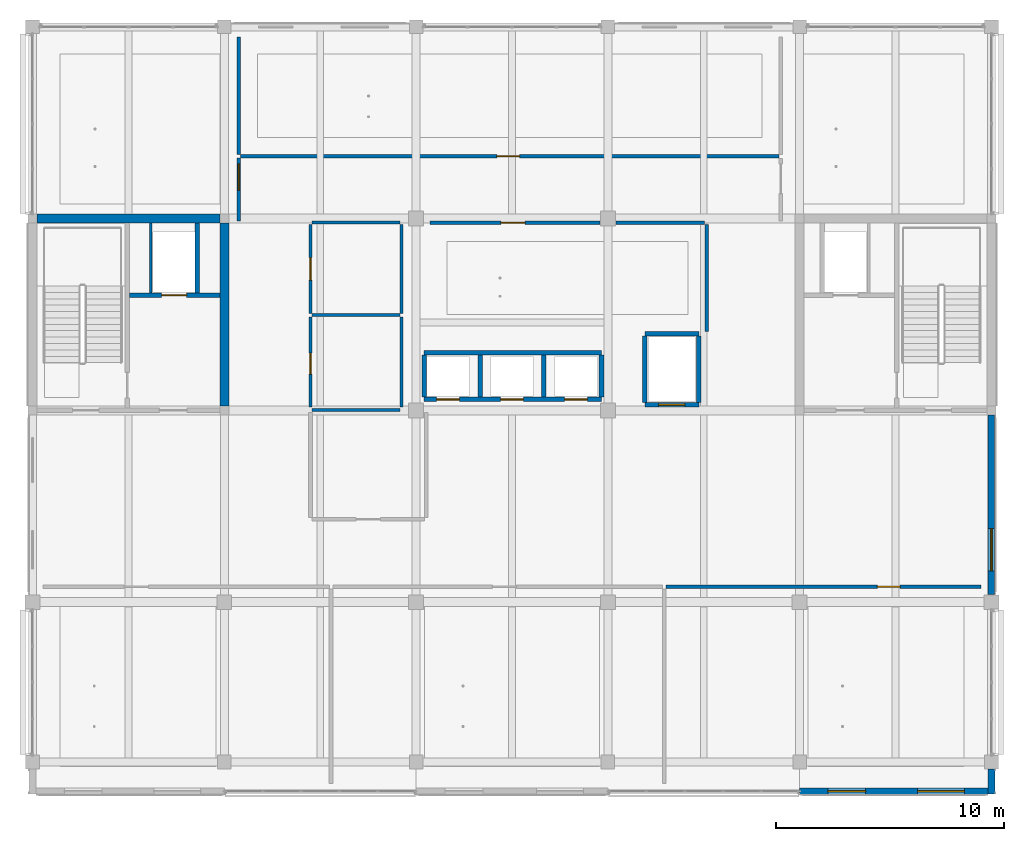
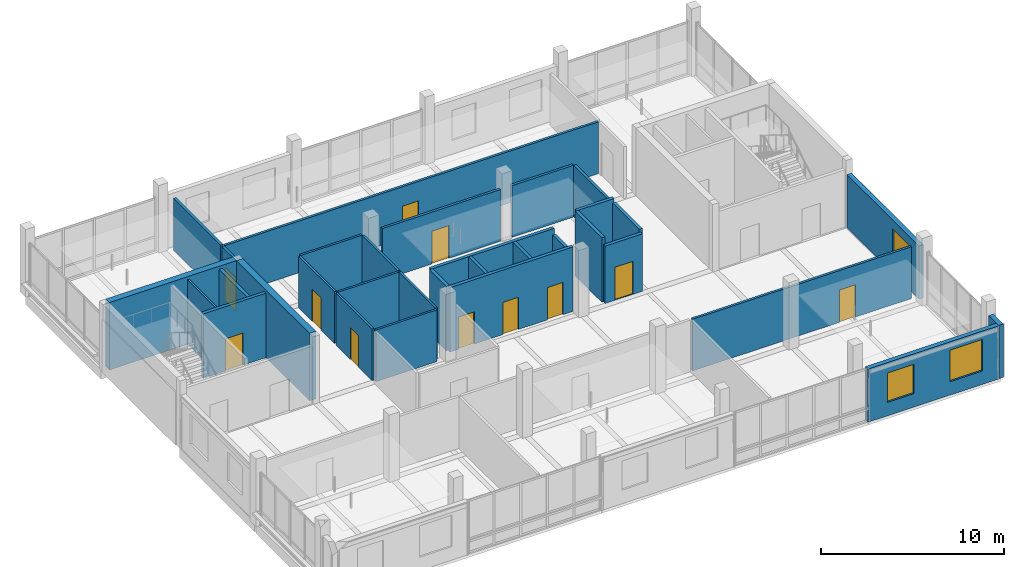
# One storey, part 12 of 29: 32 walls, 11 doors, 3 windows, 14 openings.
"""IFC4 building model written with IfcOpenShell, lengths in metres."""

from ifc_helpers import new_model, si_unit, direction, frame, frame_2d, origin, place, context, subcontext, project, spatial, rectangle, extrude, material, layer, layer_set, type_object, element, fill, save


model = new_model("IFC4")

# Units and contexts
model_context = context("Model", 3, precision=1e-05, world=origin(), true_north=direction((0.0, 1.0)))
body_context = subcontext(model_context, "Body", "Model", "MODEL_VIEW")
ifc_project = project(units=[si_unit("LENGTHUNIT", "METRE"), si_unit("AREAUNIT", "SQUARE_METRE"), si_unit("VOLUMEUNIT", "CUBIC_METRE"), si_unit("PLANEANGLEUNIT", "RADIAN"), si_unit("MASSUNIT", "GRAM", prefix="KILO")], contexts=[model_context])

# Site, building, storey
site_placement = place(None, origin())
site = spatial("IfcSite", under=ifc_project, at=site_placement, CompositionType="ELEMENT")
building_placement = place(site_placement, origin())
building = spatial("IfcBuilding", under=site, at=building_placement, Name="Telukmera Botanical Conservatory", CompositionType="ELEMENT")
storey_placement = place(building_placement, frame((0.0, 0.0, 55.5)))
storey = spatial("IfcBuildingStorey", under=building, at=storey_placement, Name="L12", CompositionType="ELEMENT", Elevation=55.5)

# Wall, openings, windows
ifc_material_1 = material(Name="Precast concrete C40/50", Category="concrete")
ifc_layer_1 = layer(ifc_material_1, 0.280029296875)
ifc_layer_set_1 = layer_set([ifc_layer_1], Name="Precast concrete C40/50")
wall_type_1 = type_object("IfcWallType", Name="Exterior Laboratory Modular Precast Wall 280", PredefinedType="ELEMENTEDWALL", material=ifc_layer_set_1)
wall_1_placement = place(storey_placement, frame((92.402099609375, 9.320068359375, 0.0), z_axis=(0.0, 0.0, 1.0), x_axis=(1.0, 0.0, 0.0)))
wall_1 = element("IfcWall", 1, at=wall_1_placement, inside=storey, type_object=wall_type_1, Name="Exterior Precast Wall EW06 V4:L12:S5", PredefinedType="ELEMENTEDWALL", context=body_context, shape_type="SweptSolid", body=[
    extrude(rectangle(XDim=8.245849609375, YDim=0.280029296875, at=frame_2d((4.123046875, 0.0))), origin(), (0.0, 0.0, 1.0), 3.550048828125),
])
opening_1_placement = place(wall_1_placement, frame((1.236572265625, 0.0, 0.89990234375)))
opening_1 = element("IfcOpeningElement", 2, at=opening_1_placement, cuts=wall_1, Name="Opening W10", PredefinedType="OPENING", context=body_context, shape_type="SweptSolid", body=[
    extrude(rectangle(XDim=1.64990234375, YDim=1.949951171875, at=frame_2d((0.824951171875, 0.97509765625))), frame((0.0, 0.14990234375, 0.0), z_axis=(0.0, -1.0, 0.0), x_axis=(1.0, 0.0, 0.0)), (0.0, 0.0, 1.0), 0.300048828125),
])
opening_2_placement = place(wall_1_placement, frame((5.159423828125, 0.0, 0.89990234375)))
opening_2 = element("IfcOpeningElement", 3, at=opening_2_placement, cuts=wall_1, Name="Opening W14", PredefinedType="OPENING", context=body_context, shape_type="SweptSolid", body=[
    extrude(rectangle(XDim=2.050048828125, YDim=2.10009765625, at=frame_2d((1.02490234375, 1.050048828125))), frame((0.0, 0.14990234375, 0.0), z_axis=(0.0, -1.0, 0.0), x_axis=(1.0, 0.0, 0.0)), (0.0, 0.0, 1.0), 0.300048828125),
])
ifc_material_2 = material(Name="Thermally broken anodised aluminium frame with low-E double glazing", Category="aluminium")
window_type_1 = type_object("IfcWindowType", Name="Double Horizontal Phytochemistry Lab Window 1650x1950", PartitioningType="DOUBLE_PANEL_HORIZONTAL", PredefinedType="WINDOW", material=ifc_material_2)
window_1_placement = place(opening_1_placement, origin())
window_1 = element("IfcWindow", 4, at=window_1_placement, inside=storey, type_object=window_type_1, Name="Facade Window W10 V4:L12:S5 1", OverallHeight=1.949951171875, OverallWidth=1.64990234375, PartitioningType="DOUBLE_PANEL_HORIZONTAL", PredefinedType="WINDOW", context=body_context, shape_type="SweptSolid", body=[
    extrude(rectangle(XDim=1.64990234375, YDim=1.949951171875, at=frame_2d((0.824951171875, 0.97509765625))), frame((0.0, 0.030029296875, 0.0), z_axis=(0.0, -1.0, 0.0), x_axis=(1.0, 0.0, 0.0)), (0.0, 0.0, 1.0), 0.06005859375),
])
fill(opening_1, window_1)
window_type_2 = type_object("IfcWindowType", Name="Triple Vertical Microscopy Lab Window 2050x2100", PartitioningType="TRIPLE_PANEL_VERTICAL", PredefinedType="WINDOW", material=ifc_material_2)
window_2_placement = place(opening_2_placement, origin())
window_2 = element("IfcWindow", 5, at=window_2_placement, inside=storey, type_object=window_type_2, Name="Facade Window W14 V4:L12:S5 2", OverallHeight=2.10009765625, OverallWidth=2.050048828125, PartitioningType="TRIPLE_PANEL_VERTICAL", PredefinedType="WINDOW", context=body_context, shape_type="SweptSolid", body=[
    extrude(rectangle(XDim=2.050048828125, YDim=2.10009765625, at=frame_2d((1.02490234375, 1.050048828125))), frame((0.0, 0.030029296875, 0.0), z_axis=(0.0, -1.0, 0.0), x_axis=(1.0, 0.0, 0.0)), (0.0, 0.0, 1.0), 0.06005859375),
])
fill(opening_2, window_2)

# Wall, opening, window
wall_2_placement = place(storey_placement, frame((100.800048828125, 17.927001953125, 0.0), z_axis=(0.0, 0.0, 1.0), x_axis=(0.0, 1.0, 0.0)))
wall_2 = element("IfcWall", 6, at=wall_2_placement, inside=storey, type_object=wall_type_1, Name="Exterior Precast Wall EW06 V4:L12:E2", PredefinedType="ELEMENTEDWALL", context=body_context, shape_type="SweptSolid", body=[
    extrude(rectangle(XDim=7.87109375, YDim=0.280029296875, at=frame_2d((3.935546875, 0.0))), origin(), (0.0, 0.0, 1.0), 3.550048828125),
])
opening_3_placement = place(wall_2_placement, frame((1.042724609375, 0.0, 0.89990234375)))
opening_3 = element("IfcOpeningElement", 7, at=opening_3_placement, cuts=wall_2, Name="Opening W12", PredefinedType="OPENING", context=body_context, shape_type="SweptSolid", body=[
    extrude(rectangle(XDim=1.85009765625, YDim=2.050048828125, at=frame_2d((0.925048828125, 1.02490234375))), frame((0.0, 0.14990234375, 0.0), z_axis=(0.0, -1.0, 0.0), x_axis=(1.0, 0.0, 0.0)), (0.0, 0.0, 1.0), 0.300048828125),
])
window_type_3 = type_object("IfcWindowType", Name="Double Horizontal Seminar Suite Window 1850x2050", PartitioningType="DOUBLE_PANEL_HORIZONTAL", PredefinedType="WINDOW", material=ifc_material_2)
window_3_placement = place(opening_3_placement, origin())
window_3 = element("IfcWindow", 8, at=window_3_placement, inside=storey, type_object=window_type_3, Name="Facade Window W12 V4:L12:E2 1", OverallHeight=2.050048828125, OverallWidth=1.85009765625, PartitioningType="DOUBLE_PANEL_HORIZONTAL", PredefinedType="WINDOW", context=body_context, shape_type="SweptSolid", body=[
    extrude(rectangle(XDim=1.85009765625, YDim=2.050048828125, at=frame_2d((0.925048828125, 1.02490234375))), frame((0.0, 0.030029296875, 0.0), z_axis=(0.0, -1.0, 0.0), x_axis=(1.0, 0.0, 0.0)), (0.0, 0.0, 1.0), 0.06005859375),
])
fill(opening_3, window_3)

# Wall
ifc_material_3 = material(Name="Terracotta-faced precast concrete C40/50", Category="masonry")
ifc_layer_2 = layer(ifc_material_3, 0.300048828125)
ifc_layer_set_2 = layer_set([ifc_layer_2], Name="Terracotta-faced precast concrete C40/50")
wall_type_2 = type_object("IfcWallType", Name="Exterior Polychrome Terracotta Precast Wall 300", PredefinedType="SOLIDWALL", material=ifc_layer_set_2)
wall_3_placement = place(storey_placement, frame((100.800048828125, 9.199951171875, 0.0), z_axis=(0.0, 0.0, 1.0), x_axis=(0.0, 1.0, 0.0)))
element("IfcWall", 9, at=wall_3_placement, inside=storey, type_object=wall_type_2, Name="Exterior Precast Wall EW02 V4:L12:SEC", PredefinedType="SOLIDWALL", context=body_context, shape_type="SweptSolid", body=[
    extrude(rectangle(XDim=1.09814453125, YDim=0.300048828125, at=frame_2d((0.549072265625, 0.0))), origin(), (0.0, 0.0, 1.0), 3.550048828125),
])

# Wall, opening, door
ifc_material_4 = material(Name="Concrete C40/50", Category="concrete")
ifc_layer_3 = layer(ifc_material_4, 0.199951171875)
ifc_layer_set_3 = layer_set([ifc_layer_3], Name="Concrete C40/50")
wall_type_3 = type_object("IfcWallType", Name="WT-CORE-200", PredefinedType="SOLIDWALL", material=ifc_layer_set_3)
wall_4_placement = place(storey_placement, frame((63.050048828125, 31.050048828125, 0.0), z_axis=(0.0, 0.0, 1.0), x_axis=(1.0, 0.0, 0.0)))
wall_4 = element("IfcWall", 10, at=wall_4_placement, inside=storey, type_object=wall_type_3, Name="L12 Fire Lift FL1 Shaft Front Wall", PredefinedType="SOLIDWALL", context=body_context, shape_type="SweptSolid", body=[
    extrude(rectangle(XDim=3.949951171875, YDim=0.199951171875, at=frame_2d((1.97509765625, 0.0))), origin(), (0.0, 0.0, 1.0), 4.300048828125),
])
opening_4_placement = place(wall_4_placement, frame((1.39990234375, 0.0, 0.0)))
opening_4 = element("IfcOpeningElement", 11, at=opening_4_placement, cuts=wall_4, Name="Opening LD01", PredefinedType="OPENING", context=body_context, shape_type="SweptSolid", body=[
    extrude(rectangle(XDim=1.10009765625, YDim=2.14990234375, at=frame_2d((0.550048828125, 1.074951171875))), frame((0.0, 0.10986328125, 0.0), z_axis=(0.0, -1.0, 0.0), x_axis=(1.0, 0.0, 0.0)), (0.0, 0.0, 1.0), 0.219970703125),
])
ifc_material_5 = material(Name="Stainless steel 316", Category="steel")
door_type_1 = type_object("IfcDoorType", Name="DT-LD01", OperationType="SLIDING_TO_LEFT", PredefinedType="DOOR", material=ifc_material_5)
door_1_placement = place(opening_4_placement, frame((1.10009765625, 0.0, 0.0), z_axis=(0.0, 0.0, 1.0), x_axis=(-1.0, 0.0, 0.0)))
door_1 = element("IfcDoor", 12, at=door_1_placement, inside=storey, type_object=door_type_1, Name="L12 Lift Landing Door FL1", OperationType="SLIDING_TO_LEFT", OverallHeight=2.14990234375, OverallWidth=1.10009765625, PredefinedType="DOOR", context=body_context, shape_type="SweptSolid", body=[
    extrude(rectangle(XDim=1.10009765625, YDim=2.14990234375, at=frame_2d((0.550048828125, 1.074951171875))), frame((0.0, 0.02490234375, 0.0), z_axis=(0.0, -1.0, 0.0), x_axis=(1.0, 0.0, 0.0)), (0.0, 0.0, 1.0), 0.050048828125),
])
fill(opening_4, door_1)

# Wall
wall_5_placement = place(storey_placement, frame((66.02001953125, 31.14990234375, 0.0), z_axis=(0.0, 0.0, 1.0), x_axis=(0.0, 1.0, 0.0)))
element("IfcWall", 13, at=wall_5_placement, inside=storey, type_object=wall_type_3, Name="L12 Fire Lift FL1 Shaft East Wall", PredefinedType="SOLIDWALL", context=body_context, shape_type="SweptSolid", body=[
    extrude(rectangle(XDim=3.050048828125, YDim=0.199951171875, at=frame_2d((1.52490234375, 0.0))), origin(), (0.0, 0.0, 1.0), 4.300048828125),
])

# Wall, openings, doors
wall_6_placement = place(storey_placement, frame((75.949951171875, 26.47998046875, 0.0), z_axis=(0.0, 0.0, 1.0), x_axis=(1.0, 0.0, 0.0)))
wall_6 = element("IfcWall", 14, at=wall_6_placement, inside=storey, type_object=wall_type_3, Name="L12 Passenger Lift Bank Front Wall", PredefinedType="SOLIDWALL", context=body_context, shape_type="SweptSolid", body=[
    extrude(rectangle(XDim=7.77001953125, YDim=0.199951171875, at=frame_2d((3.885009765625, 0.0))), origin(), (0.0, 0.0, 1.0), 4.300048828125),
])
opening_5_placement = place(wall_6_placement, frame((0.550048828125, 0.0, 0.0)))
opening_5 = element("IfcOpeningElement", 15, at=opening_5_placement, cuts=wall_6, Name="Opening LD03", PredefinedType="OPENING", context=body_context, shape_type="SweptSolid", body=[
    extrude(rectangle(XDim=1.0, YDim=2.14990234375, at=frame_2d((0.5, 1.074951171875))), frame((0.0, 0.10986328125, 0.0), z_axis=(0.0, -1.0, 0.0), x_axis=(1.0, 0.0, 0.0)), (0.0, 0.0, 1.0), 0.219970703125),
])
opening_6_placement = place(wall_6_placement, frame((3.35009765625, 0.0, 0.0)))
opening_6 = element("IfcOpeningElement", 16, at=opening_6_placement, cuts=wall_6, Name="Opening LD03", PredefinedType="OPENING", context=body_context, shape_type="SweptSolid", body=[
    extrude(rectangle(XDim=1.0, YDim=2.14990234375, at=frame_2d((0.5, 1.074951171875))), frame((0.0, 0.10986328125, 0.0), z_axis=(0.0, -1.0, 0.0), x_axis=(1.0, 0.0, 0.0)), (0.0, 0.0, 1.0), 0.219970703125),
])
opening_7_placement = place(wall_6_placement, frame((6.14990234375, 0.0, 0.0)))
opening_7 = element("IfcOpeningElement", 17, at=opening_7_placement, cuts=wall_6, Name="Opening LD03", PredefinedType="OPENING", context=body_context, shape_type="SweptSolid", body=[
    extrude(rectangle(XDim=1.0, YDim=2.14990234375, at=frame_2d((0.5, 1.074951171875))), frame((0.0, 0.10986328125, 0.0), z_axis=(0.0, -1.0, 0.0), x_axis=(1.0, 0.0, 0.0)), (0.0, 0.0, 1.0), 0.219970703125),
])
door_type_2 = type_object("IfcDoorType", Name="DT-LD03", OperationType="SLIDING_TO_LEFT", PredefinedType="DOOR", material=ifc_material_5)
door_2_placement = place(opening_5_placement, frame((1.0, 0.0, 0.0), z_axis=(0.0, 0.0, 1.0), x_axis=(-1.0, 0.0, 0.0)))
door_2 = element("IfcDoor", 18, at=door_2_placement, inside=storey, type_object=door_type_2, Name="L12 Lift Landing Door PL1", OperationType="SLIDING_TO_LEFT", OverallHeight=2.14990234375, OverallWidth=1.0, PredefinedType="DOOR", context=body_context, shape_type="SweptSolid", body=[
    extrude(rectangle(XDim=1.0, YDim=2.14990234375, at=frame_2d((0.5, 1.074951171875))), frame((0.0, 0.02490234375, 0.0), z_axis=(0.0, -1.0, 0.0), x_axis=(1.0, 0.0, 0.0)), (0.0, 0.0, 1.0), 0.050048828125),
])
fill(opening_5, door_2)
door_3_placement = place(opening_6_placement, frame((1.0, 0.0, 0.0), z_axis=(0.0, 0.0, 1.0), x_axis=(-1.0, 0.0, 0.0)))
door_3 = element("IfcDoor", 19, at=door_3_placement, inside=storey, type_object=door_type_2, Name="L12 Lift Landing Door PL2", OperationType="SLIDING_TO_LEFT", OverallHeight=2.14990234375, OverallWidth=1.0, PredefinedType="DOOR", context=body_context, shape_type="SweptSolid", body=[
    extrude(rectangle(XDim=1.0, YDim=2.14990234375, at=frame_2d((0.5, 1.074951171875))), frame((0.0, 0.02490234375, 0.0), z_axis=(0.0, -1.0, 0.0), x_axis=(1.0, 0.0, 0.0)), (0.0, 0.0, 1.0), 0.050048828125),
])
fill(opening_6, door_3)
door_4_placement = place(opening_7_placement, frame((1.0, 0.0, 0.0), z_axis=(0.0, 0.0, 1.0), x_axis=(-1.0, 0.0, 0.0)))
door_4 = element("IfcDoor", 20, at=door_4_placement, inside=storey, type_object=door_type_2, Name="L12 Lift Landing Door PL3", OperationType="SLIDING_TO_LEFT", OverallHeight=2.14990234375, OverallWidth=1.0, PredefinedType="DOOR", context=body_context, shape_type="SweptSolid", body=[
    extrude(rectangle(XDim=1.0, YDim=2.14990234375, at=frame_2d((0.5, 1.074951171875))), frame((0.0, 0.02490234375, 0.0), z_axis=(0.0, -1.0, 0.0), x_axis=(1.0, 0.0, 0.0)), (0.0, 0.0, 1.0), 0.050048828125),
])
fill(opening_7, door_4)

# Walls
wall_7_placement = place(storey_placement, frame((75.949951171875, 28.52001953125, 0.0), z_axis=(0.0, 0.0, 1.0), x_axis=(1.0, 0.0, 0.0)))
element("IfcWall", 21, at=wall_7_placement, inside=storey, type_object=wall_type_3, Name="L12 Passenger Lift Bank Rear Wall", PredefinedType="SOLIDWALL", context=body_context, shape_type="SweptSolid", body=[
    extrude(rectangle(XDim=7.77001953125, YDim=0.199951171875, at=frame_2d((3.885009765625, 0.0))), origin(), (0.0, 0.0, 1.0), 4.300048828125),
])
for number, where, z_axis, x_axis, name in (
    (22, (75.949951171875, 26.580078125, 0.0), (0.0, 0.0, 1.0), (0.0, 1.0, 0.0), "L12 Passenger Lift Shaft Wall 1"),
    (23, (78.39990234375, 26.580078125, 0.0), (0.0, 0.0, 1.0), (0.0, 1.0, 0.0), "L12 Passenger Lift Shaft Wall 2"),
    (24, (81.199951171875, 26.580078125, 0.0), (0.0, 0.0, 1.0), (0.0, 1.0, 0.0), "L12 Passenger Lift Shaft Wall 3"),
):
    element("IfcWall", number, at=place(storey_placement, frame(where, z_axis=z_axis, x_axis=x_axis)), inside=storey, type_object=wall_type_3, Name=name, PredefinedType="SOLIDWALL", context=body_context, shape_type="SweptSolid", body=[
        extrude(rectangle(XDim=1.83984375, YDim=0.199951171875, at=frame_2d((0.919921875, 0.0))), origin(), (0.0, 0.0, 1.0), 4.300048828125),
    ])
wall_8_placement = place(storey_placement, frame((83.719970703125, 26.580078125, 0.0), z_axis=(0.0, 0.0, 1.0), x_axis=(0.0, 1.0, 0.0)))
element("IfcWall", 25, at=wall_8_placement, inside=storey, type_object=wall_type_3, Name="L12 Passenger Lift Shaft Wall 4", PredefinedType="SOLIDWALL", context=body_context, shape_type="SweptSolid", body=[
    extrude(rectangle(XDim=1.83984375, YDim=0.199951171875, at=frame_2d((0.919921875, 0.0))), origin(), (0.0, 0.0, 1.0), 3.8798828125),
])

# Wall, opening, door
wall_9_placement = place(storey_placement, frame((85.6201171875, 26.25, 0.0), z_axis=(0.0, 0.0, 1.0), x_axis=(1.0, 0.0, 0.0)))
wall_9 = element("IfcWall", 26, at=wall_9_placement, inside=storey, type_object=wall_type_3, Name="L12 Goods Lift GL1 Front Wall", PredefinedType="SOLIDWALL", context=body_context, shape_type="SweptSolid", body=[
    extrude(rectangle(XDim=2.35986328125, YDim=0.199951171875, at=frame_2d((1.179931640625, 0.0))), origin(), (0.0, 0.0, 1.0), 3.830078125),
])
opening_8_placement = place(wall_9_placement, frame((0.60498046875, 0.0, 0.0)))
opening_8 = element("IfcOpeningElement", 27, at=opening_8_placement, cuts=wall_9, Name="Opening LD02", PredefinedType="OPENING", context=body_context, shape_type="SweptSolid", body=[
    extrude(rectangle(XDim=1.14990234375, YDim=2.199951171875, at=frame_2d((0.574951171875, 1.10009765625))), frame((0.0, 0.10986328125, 0.0), z_axis=(0.0, -1.0, 0.0), x_axis=(1.0, 0.0, 0.0)), (0.0, 0.0, 1.0), 0.219970703125),
])
door_type_3 = type_object("IfcDoorType", Name="DT-LD02", OperationType="SLIDING_TO_LEFT", PredefinedType="DOOR", material=ifc_material_5)
door_5_placement = place(opening_8_placement, frame((1.14990234375, 0.0, 0.0), z_axis=(0.0, 0.0, 1.0), x_axis=(-1.0, 0.0, 0.0)))
door_5 = element("IfcDoor", 28, at=door_5_placement, inside=storey, type_object=door_type_3, Name="L12 Lift Landing Door GL1", OperationType="SLIDING_TO_LEFT", OverallHeight=2.199951171875, OverallWidth=1.14990234375, PredefinedType="DOOR", context=body_context, shape_type="SweptSolid", body=[
    extrude(rectangle(XDim=1.14990234375, YDim=2.199951171875, at=frame_2d((0.574951171875, 1.10009765625))), frame((0.0, 0.02490234375, 0.0), z_axis=(0.0, -1.0, 0.0), x_axis=(1.0, 0.0, 0.0)), (0.0, 0.0, 1.0), 0.050048828125),
])
fill(opening_8, door_5)

# Walls
wall_10_placement = place(storey_placement, frame((85.6201171875, 29.35009765625, 0.0), z_axis=(0.0, 0.0, 1.0), x_axis=(1.0, 0.0, 0.0)))
element("IfcWall", 29, at=wall_10_placement, inside=storey, type_object=wall_type_3, Name="L12 Goods Lift GL1 Rear Wall", PredefinedType="SOLIDWALL", context=body_context, shape_type="SweptSolid", body=[
    extrude(rectangle(XDim=2.35986328125, YDim=0.199951171875, at=frame_2d((1.179931640625, 0.0))), origin(), (0.0, 0.0, 1.0), 4.300048828125),
])
wall_11_placement = place(storey_placement, frame((85.6201171875, 26.35009765625, 0.0), z_axis=(0.0, 0.0, 1.0), x_axis=(0.0, 1.0, 0.0)))
element("IfcWall", 30, at=wall_11_placement, inside=storey, type_object=wall_type_3, Name="L12 Goods Lift GL1 Side Wall 1", PredefinedType="SOLIDWALL", context=body_context, shape_type="SweptSolid", body=[
    extrude(rectangle(XDim=2.89990234375, YDim=0.199951171875, at=frame_2d((1.449951171875, 0.0))), origin(), (0.0, 0.0, 1.0), 4.300048828125),
])
wall_12_placement = place(storey_placement, frame((87.97998046875, 26.35009765625, 0.0), z_axis=(0.0, 0.0, 1.0), x_axis=(0.0, 1.0, 0.0)))
element("IfcWall", 31, at=wall_12_placement, inside=storey, type_object=wall_type_3, Name="L12 Goods Lift GL1 Side Wall 2", PredefinedType="SOLIDWALL", context=body_context, shape_type="SweptSolid", body=[
    extrude(rectangle(XDim=2.89990234375, YDim=0.199951171875, at=frame_2d((1.449951171875, 0.0))), origin(), (0.0, 0.0, 1.0), 4.030029296875),
])
ifc_material_6 = material(Name="Gypsum acoustic stud partition")
ifc_layer_4 = layer(ifc_material_6, 0.159912109375)
ifc_layer_set_4 = layer_set([ifc_layer_4], Name="Gypsum acoustic stud partition")
wall_type_4 = type_object("IfcWallType", Name="WT-LAB-160", PredefinedType="PARTITIONING", material=ifc_layer_set_4)
wall_13_placement = place(storey_placement, frame((88.324951171875, 29.449951171875, 0.0), z_axis=(0.0, 0.0, 1.0), x_axis=(0.0, 1.0, 0.0)))
element("IfcWall", 32, at=wall_13_placement, inside=storey, type_object=wall_type_4, Name="L12 Interior Partition 06", PredefinedType="PARTITIONING", context=body_context, shape_type="SweptSolid", body=[
    extrude(rectangle(XDim=4.699951171875, YDim=0.159912109375, at=frame_2d((2.35009765625, 0.0))), origin(), (0.0, 0.0, 1.0), 3.449951171875),
])

# Wall, opening, door
wall_14_placement = place(storey_placement, frame((76.199951171875, 34.22509765625, 0.0), z_axis=(0.0, 0.0, 1.0), x_axis=(1.0, 0.0, 0.0)))
wall_14 = element("IfcWall", 33, at=wall_14_placement, inside=storey, type_object=wall_type_4, Name="L12 Interior Partition 07", PredefinedType="PARTITIONING", context=body_context, shape_type="SweptSolid", body=[
    extrude(rectangle(XDim=7.445068359375, YDim=0.159912109375, at=frame_2d((3.72265625, 0.0))), origin(), (0.0, 0.0, 1.0), 3.449951171875),
])
opening_9_placement = place(wall_14_placement, frame((3.1171875, 0.0, 0.0)))
opening_9 = element("IfcOpeningElement", 34, at=opening_9_placement, cuts=wall_14, Name="Opening ID12", PredefinedType="OPENING", context=body_context, shape_type="SweptSolid", body=[
    extrude(rectangle(XDim=1.06005859375, YDim=2.179931640625, at=frame_2d((0.530029296875, 1.08984375))), frame((0.0, 0.08984375, 0.0), z_axis=(0.0, -1.0, 0.0), x_axis=(1.0, 0.0, 0.0)), (0.0, 0.0, 1.0), 0.179931640625),
])
ifc_material_7 = material(Name="Light-tight microscopy door")
door_type_4 = type_object("IfcDoorType", Name="DT-MIC-106", OperationType="NOTDEFINED", PredefinedType="DOOR", material=ifc_material_7)
door_6_placement = place(opening_9_placement, frame((1.06005859375, 0.0, 0.0), z_axis=(0.0, 0.0, 1.0), x_axis=(-1.0, 0.0, 0.0)))
door_6 = element("IfcDoor", 35, at=door_6_placement, inside=storey, type_object=door_type_4, Name="L12 Electron Microscopy Preparation Room Door", OperationType="SINGLE_SWING_RIGHT", OverallHeight=2.179931640625, OverallWidth=1.06005859375, PredefinedType="DOOR", context=body_context, shape_type="SweptSolid", body=[
    extrude(rectangle(XDim=1.06005859375, YDim=2.179931640625, at=frame_2d((0.530029296875, 1.08984375))), frame((0.0, 0.02490234375, 0.0), z_axis=(0.0, -1.0, 0.0), x_axis=(1.0, 0.0, 0.0)), (0.0, 0.0, 1.0), 0.050048828125),
])
fill(opening_9, door_6)

# Wall
wall_15_placement = place(storey_placement, frame((84.35498046875, 34.22509765625, 0.0), z_axis=(0.0, 0.0, 1.0), x_axis=(1.0, 0.0, 0.0)))
element("IfcWall", 36, at=wall_15_placement, inside=storey, type_object=wall_type_4, Name="L12 Interior Partition 08", PredefinedType="PARTITIONING", context=body_context, shape_type="SweptSolid", body=[
    extrude(rectangle(XDim=3.880126953125, YDim=0.159912109375, at=frame_2d((1.93994140625, 0.0))), origin(), (0.0, 0.0, 1.0), 3.449951171875),
])

# Wall, opening, door
wall_16_placement = place(storey_placement, frame((67.824951171875, 34.300048828125, 0.0), z_axis=(0.0, 0.0, 1.0), x_axis=(0.0, 1.0, 0.0)))
wall_16 = element("IfcWall", 37, at=wall_16_placement, inside=storey, type_object=wall_type_4, Name="L12 Interior Partition 17", PredefinedType="PARTITIONING", context=body_context, shape_type="SweptSolid", body=[
    extrude(rectangle(XDim=2.75, YDim=0.159912109375, at=frame_2d((1.375, 0.0))), origin(), (0.0, 0.0, 1.0), 3.449951171875),
])
opening_10_placement = place(wall_16_placement, frame((1.340087890625, 0.0, 0.0)))
opening_10 = element("IfcOpeningElement", 38, at=opening_10_placement, cuts=wall_16, Name="Opening ID09", PredefinedType="OPENING", context=body_context, shape_type="SweptSolid", body=[
    extrude(rectangle(XDim=1.159912109375, YDim=2.199951171875, at=frame_2d((0.580078125, 1.10009765625))), frame((0.0, 0.08984375, 0.0), z_axis=(0.0, -1.0, 0.0), x_axis=(1.0, 0.0, 0.0)), (0.0, 0.0, 1.0), 0.179931640625),
])
ifc_material_8 = material(Name="Phenolic faced laboratory fire door")
door_type_5 = type_object("IfcDoorType", Name="DT-LAB-116", OperationType="NOTDEFINED", PredefinedType="DOOR", material=ifc_material_8)
door_7_placement = place(opening_10_placement, origin())
door_7 = element("IfcDoor", 39, at=door_7_placement, inside=storey, type_object=door_type_5, Name="L12 Optical Microtomy Laboratory Door", OperationType="SINGLE_SWING_LEFT", OverallHeight=2.199951171875, OverallWidth=1.159912109375, PredefinedType="DOOR", context=body_context, shape_type="SweptSolid", body=[
    extrude(rectangle(XDim=1.159912109375, YDim=2.199951171875, at=frame_2d((0.580078125, 1.10009765625))), frame((0.0, 0.02490234375, 0.0), z_axis=(0.0, -1.0, 0.0), x_axis=(1.0, 0.0, 0.0)), (0.0, 0.0, 1.0), 0.050048828125),
])
fill(opening_10, door_7)

# Walls
wall_17_placement = place(storey_placement, frame((67.824951171875, 37.199951171875, 0.0), z_axis=(0.0, 0.0, 1.0), x_axis=(0.0, 1.0, 0.0)))
element("IfcWall", 40, at=wall_17_placement, inside=storey, type_object=wall_type_4, Name="L12 Interior Partition 20", PredefinedType="PARTITIONING", context=body_context, shape_type="SweptSolid", body=[
    extrude(rectangle(XDim=5.150146484375, YDim=0.159912109375, at=frame_2d((2.5751953125, 0.0))), origin(), (0.0, 0.0, 1.0), 3.449951171875),
])
ifc_material_9 = material(Name="Gypsum shaftwall liner")
ifc_layer_5 = layer(ifc_material_9, 0.110107421875)
ifc_layer_set_5 = layer_set([ifc_layer_5], Name="Gypsum shaftwall liner")
wall_type_5 = type_object("IfcWallType", Name="WT-RISER-110", PredefinedType="PARTITIONING", material=ifc_layer_set_5)
wall_18_placement = place(storey_placement, frame((63.97998046875, 31.14990234375, 0.0), z_axis=(0.0, 0.0, 1.0), x_axis=(0.0, 1.0, 0.0)))
element("IfcWall", 41, at=wall_18_placement, inside=storey, type_object=wall_type_5, Name="L12 Wet Riser C1 Shaft Wall", PredefinedType="PARTITIONING", context=body_context, shape_type="SweptSolid", body=[
    extrude(rectangle(XDim=3.050048828125, YDim=0.110107421875, at=frame_2d((1.52490234375, 0.0))), origin(), (0.0, 0.0, 1.0), 4.300048828125),
])

# Wall, opening, door
ifc_layer_6 = layer(ifc_material_6, 0.14990234375)
ifc_layer_set_6 = layer_set([ifc_layer_6], Name="Gypsum acoustic stud partition")
wall_type_6 = type_object("IfcWallType", Name="WT-STD-150", PredefinedType="PARTITIONING", material=ifc_layer_set_6)
wall_19_placement = place(storey_placement, frame((86.550048828125, 18.27490234375, 0.0), z_axis=(0.0, 0.0, 1.0), x_axis=(1.0, 0.0, 0.0)))
wall_19 = element("IfcWall", 42, at=wall_19_placement, inside=storey, type_object=wall_type_6, Name="L12 Interior Partition 13", PredefinedType="PARTITIONING", context=body_context, shape_type="SweptSolid", body=[
    extrude(rectangle(XDim=13.800048828125, YDim=0.14990234375, at=frame_2d((6.89990234375, 0.0))), origin(), (0.0, 0.0, 1.0), 3.449951171875),
])
opening_11_placement = place(wall_19_placement, frame((9.25, 0.0, 0.0)))
opening_11 = element("IfcOpeningElement", 43, at=opening_11_placement, cuts=wall_19, Name="Opening ID14", PredefinedType="OPENING", context=body_context, shape_type="SweptSolid", body=[
    extrude(rectangle(XDim=1.0, YDim=2.14990234375, at=frame_2d((0.5, 1.074951171875))), frame((0.0, 0.0849609375, 0.0), z_axis=(0.0, -1.0, 0.0), x_axis=(1.0, 0.0, 0.0)), (0.0, 0.0, 1.0), 0.169921875),
])
ifc_material_10 = material(Name="Acoustic timber office door", Category="wood")
door_type_6 = type_object("IfcDoorType", Name="DT-WRT-100", OperationType="NOTDEFINED", PredefinedType="DOOR", material=ifc_material_10)
door_8_placement = place(opening_11_placement, frame((1.0, 0.0, 0.0), z_axis=(0.0, 0.0, 1.0), x_axis=(-1.0, 0.0, 0.0)))
door_8 = element("IfcDoor", 44, at=door_8_placement, inside=storey, type_object=door_type_6, Name="L12 Laboratory Write-Up Studio Door", OperationType="SINGLE_SWING_RIGHT", OverallHeight=2.14990234375, OverallWidth=1.0, PredefinedType="DOOR", context=body_context, shape_type="SweptSolid", body=[
    extrude(rectangle(XDim=1.0, YDim=2.14990234375, at=frame_2d((0.5, 1.074951171875))), frame((0.0, 0.02490234375, 0.0), z_axis=(0.0, -1.0, 0.0), x_axis=(1.0, 0.0, 0.0)), (0.0, 0.0, 1.0), 0.050048828125),
])
fill(opening_11, door_8)

wall_20_placement = place(storey_placement, frame((67.9150390625, 37.125, 0.0), z_axis=(0.0, 0.0, 1.0), x_axis=(1.0, 0.0, 0.0)))
wall_20 = element("IfcWall", 45, at=wall_20_placement, inside=storey, type_object=wall_type_6, Name="L12 Interior Partition 18", PredefinedType="PARTITIONING", context=body_context, shape_type="SweptSolid", body=[
    extrude(rectangle(XDim=23.5849609375, YDim=0.14990234375, at=frame_2d((11.79248046875, 0.0))), origin(), (0.0, 0.0, 1.0), 3.449951171875),
])
opening_12_placement = place(wall_20_placement, frame((11.21728515625, 0.0, 0.0)))
opening_12 = element("IfcOpeningElement", 46, at=opening_12_placement, cuts=wall_20, Name="Opening ID14", PredefinedType="OPENING", context=body_context, shape_type="SweptSolid", body=[
    extrude(rectangle(XDim=1.0, YDim=2.14990234375, at=frame_2d((0.5, 1.074951171875))), frame((0.0, 0.0849609375, 0.0), z_axis=(0.0, -1.0, 0.0), x_axis=(1.0, 0.0, 0.0)), (0.0, 0.0, 1.0), 0.169921875),
])
door_9_placement = place(opening_12_placement, origin())
door_9 = element("IfcDoor", 47, at=door_9_placement, inside=storey, type_object=door_type_6, Name="L12 Digital Photomicrography Studio Door", OperationType="SINGLE_SWING_RIGHT", OverallHeight=2.14990234375, OverallWidth=1.0, PredefinedType="DOOR", context=body_context, shape_type="SweptSolid", body=[
    extrude(rectangle(XDim=1.0, YDim=2.14990234375, at=frame_2d((0.5, 1.074951171875))), frame((0.0, 0.02490234375, 0.0), z_axis=(0.0, -1.0, 0.0), x_axis=(1.0, 0.0, 0.0)), (0.0, 0.0, 1.0), 0.050048828125),
])
fill(opening_12, door_9)

ifc_material_11 = material(Name="Moisture-resistant blockwork", Category="masonry")
ifc_layer_7 = layer(ifc_material_11, 0.135009765625)
ifc_layer_set_7 = layer_set([ifc_layer_7], Name="Moisture-resistant blockwork")
wall_type_7 = type_object("IfcWallType", Name="WT-WC-135", PredefinedType="PARTITIONING", material=ifc_layer_set_7)
wall_21_placement = place(storey_placement, frame((70.97509765625, 26.14990234375, 0.0), z_axis=(0.0, 0.0, 1.0), x_axis=(0.0, 1.0, 0.0)))
wall_21 = element("IfcWall", 48, at=wall_21_placement, inside=storey, type_object=wall_type_7, Name="L12 Interior Partition 01", PredefinedType="PARTITIONING", context=body_context, shape_type="SweptSolid", body=[
    extrude(rectangle(XDim=3.9501953125, YDim=0.135009765625, at=frame_2d((1.97509765625, 0.0))), origin(), (0.0, 0.0, 1.0), 3.449951171875),
])
opening_13_placement = place(wall_21_placement, frame((1.440673828125, 0.0, 0.0)))
opening_13 = element("IfcOpeningElement", 49, at=opening_13_placement, cuts=wall_21, Name="Opening ID17", PredefinedType="OPENING", context=body_context, shape_type="SweptSolid", body=[
    extrude(rectangle(XDim=0.919921875, YDim=2.1201171875, at=frame_2d((0.4599609375, 1.06005859375))), frame((0.0, 0.077392578125, 0.0), z_axis=(0.0, -1.0, 0.0), x_axis=(1.0, 0.0, 0.0)), (0.0, 0.0, 1.0), 0.155029296875),
])
ifc_material_12 = material(Name="Moisture-resistant laminate WC door")
door_type_7 = type_object("IfcDoorType", Name="DT-WC-092", OperationType="NOTDEFINED", PredefinedType="DOOR", material=ifc_material_12)
door_10_placement = place(opening_13_placement, origin())
door_10 = element("IfcDoor", 50, at=door_10_placement, inside=storey, type_object=door_type_7, Name="L12 Public WC Door", OperationType="SINGLE_SWING_RIGHT", OverallHeight=2.1201171875, OverallWidth=0.919921875, PredefinedType="DOOR", context=body_context, shape_type="SweptSolid", body=[
    extrude(rectangle(XDim=0.919921875, YDim=2.1201171875, at=frame_2d((0.4599609375, 1.06005859375))), frame((0.0, 0.02490234375, 0.0), z_axis=(0.0, -1.0, 0.0), x_axis=(1.0, 0.0, 0.0)), (0.0, 0.0, 1.0), 0.050048828125),
])
fill(opening_13, door_10)

wall_22_placement = place(storey_placement, frame((70.97509765625, 30.25, 0.0), z_axis=(0.0, 0.0, 1.0), x_axis=(0.0, 1.0, 0.0)))
wall_22 = element("IfcWall", 51, at=wall_22_placement, inside=storey, type_object=wall_type_7, Name="L12 Interior Partition 02", PredefinedType="PARTITIONING", context=body_context, shape_type="SweptSolid", body=[
    extrude(rectangle(XDim=3.89990234375, YDim=0.135009765625, at=frame_2d((1.949951171875, 0.0))), origin(), (0.0, 0.0, 1.0), 3.449951171875),
])
opening_14_placement = place(wall_22_placement, frame((1.4599609375, 0.0, 0.0)))
opening_14 = element("IfcOpeningElement", 52, at=opening_14_placement, cuts=wall_22, Name="Opening ID15", PredefinedType="OPENING", context=body_context, shape_type="SweptSolid", body=[
    extrude(rectangle(XDim=0.97998046875, YDim=2.14990234375, at=frame_2d((0.489990234375, 1.074951171875))), frame((0.0, 0.077392578125, 0.0), z_axis=(0.0, -1.0, 0.0), x_axis=(1.0, 0.0, 0.0)), (0.0, 0.0, 1.0), 0.155029296875),
])
ifc_material_13 = material(Name="Accessible sanitary laminate door")
door_type_8 = type_object("IfcDoorType", Name="DT-OKU-098", OperationType="NOTDEFINED", PredefinedType="DOOR", material=ifc_material_13)
door_11_placement = place(opening_14_placement, origin())
door_11 = element("IfcDoor", 53, at=door_11_placement, inside=storey, type_object=door_type_8, Name="L12 Accessible WC Door", OperationType="SINGLE_SWING_LEFT", OverallHeight=2.14990234375, OverallWidth=0.97998046875, PredefinedType="DOOR", context=body_context, shape_type="SweptSolid", body=[
    extrude(rectangle(XDim=0.97998046875, YDim=2.14990234375, at=frame_2d((0.489990234375, 1.074951171875))), frame((0.0, 0.02490234375, 0.0), z_axis=(0.0, -1.0, 0.0), x_axis=(1.0, 0.0, 0.0)), (0.0, 0.0, 1.0), 0.050048828125),
])
fill(opening_14, door_11)

# Walls
for number, where, z_axis, x_axis, name in (
    (54, (71.050048828125, 30.175048828125, 0.0), (0.0, 0.0, 1.0), (1.0, 0.0, 0.0), "L12 Interior Partition 03"),
    (55, (71.050048828125, 26.02490234375, 0.0), (0.0, 0.0, 1.0), (1.0, 0.0, 0.0), "L12 Interior Partition 04"),
    (56, (71.050048828125, 34.22509765625, 0.0), (0.0, 0.0, 1.0), (1.0, 0.0, 0.0), "L12 Interior Partition 05"),
):
    element("IfcWall", number, at=place(storey_placement, frame(where, z_axis=z_axis, x_axis=x_axis)), inside=storey, type_object=wall_type_7, Name=name, PredefinedType="PARTITIONING", context=body_context, shape_type="SweptSolid", body=[
        extrude(rectangle(XDim=3.849853515625, YDim=0.135009765625, at=frame_2d((1.9248046875, 0.0))), origin(), (0.0, 0.0, 1.0), 3.449951171875),
    ])
wall_23_placement = place(storey_placement, frame((74.967529296875, 26.14990234375, 0.0), z_axis=(0.0, 0.0, 1.0), x_axis=(0.0, 1.0, 0.0)))
element("IfcWall", 57, at=wall_23_placement, inside=storey, type_object=wall_type_7, Name="L12 WC Enclosure Partition 01", PredefinedType="PARTITIONING", context=body_context, shape_type="SweptSolid", body=[
    extrude(rectangle(XDim=3.947509765625, YDim=0.135009765625, at=frame_2d((1.9736328125, 0.0))), origin(), (0.0, 0.0, 1.0), 3.449951171875),
])
wall_24_placement = place(storey_placement, frame((74.967529296875, 30.25244140625, 0.0), z_axis=(0.0, 0.0, 1.0), x_axis=(0.0, 1.0, 0.0)))
element("IfcWall", 58, at=wall_24_placement, inside=storey, type_object=wall_type_7, Name="L12 WC Enclosure Partition 02", PredefinedType="PARTITIONING", context=body_context, shape_type="SweptSolid", body=[
    extrude(rectangle(XDim=3.89501953125, YDim=0.135009765625, at=frame_2d((1.947509765625, 0.0))), origin(), (0.0, 0.0, 1.0), 3.449951171875),
])
ifc_material_14 = material(Name="Concrete C50/60", Category="concrete")
ifc_layer_8 = layer(ifc_material_14, 0.39990234375)
ifc_layer_set_8 = layer_set([ifc_layer_8], Name="Concrete C50/60")
wall_type_8 = type_object("IfcWallType", Name="Wall_CW1", PredefinedType="SHEAR", material=ifc_layer_set_8)
for number, where, z_axis, x_axis, name in (
    (59, (67.199951171875, 26.199951171875, 0.0), (0.0, 0.0, 1.0), (0.0, 1.0, 0.0), "Core C1 Shear Wall East L12"),
    (60, (59.0, 34.39990234375, 0.0), (0.0, 0.0, 1.0), (1.0, 0.0, 0.0), "Core C1 Shear Wall North L12"),
):
    element("IfcWall", number, at=place(storey_placement, frame(where, z_axis=z_axis, x_axis=x_axis)), inside=storey, type_object=wall_type_8, Name=name, PredefinedType="SHEAR", context=body_context, shape_type="SweptSolid", body=[
        extrude(rectangle(XDim=8.0, YDim=0.39990234375, at=frame_2d((4.0, 0.0))), origin(), (0.0, 0.0, 1.0), 4.5),
    ])

save(model, "model.ifc")
